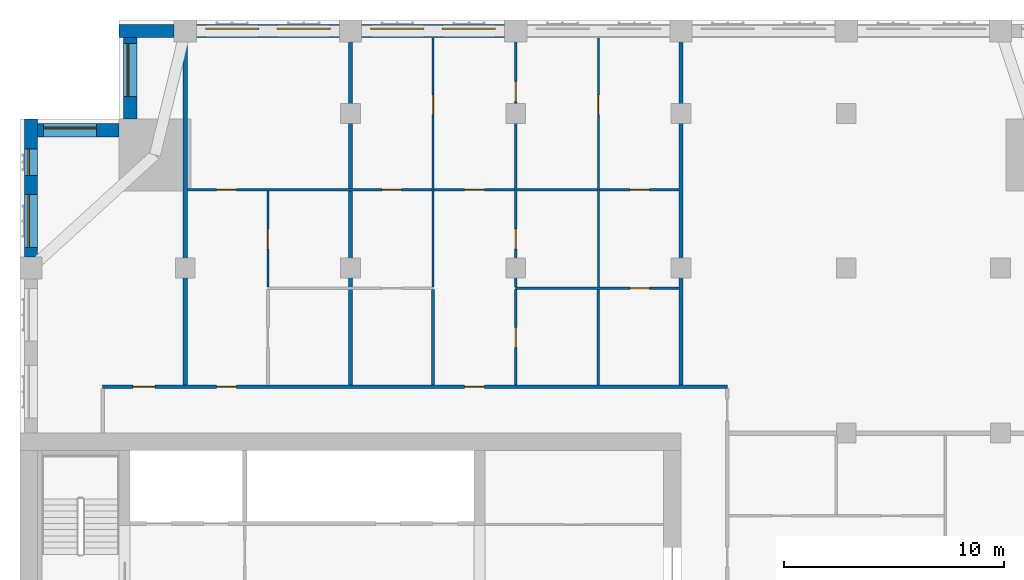
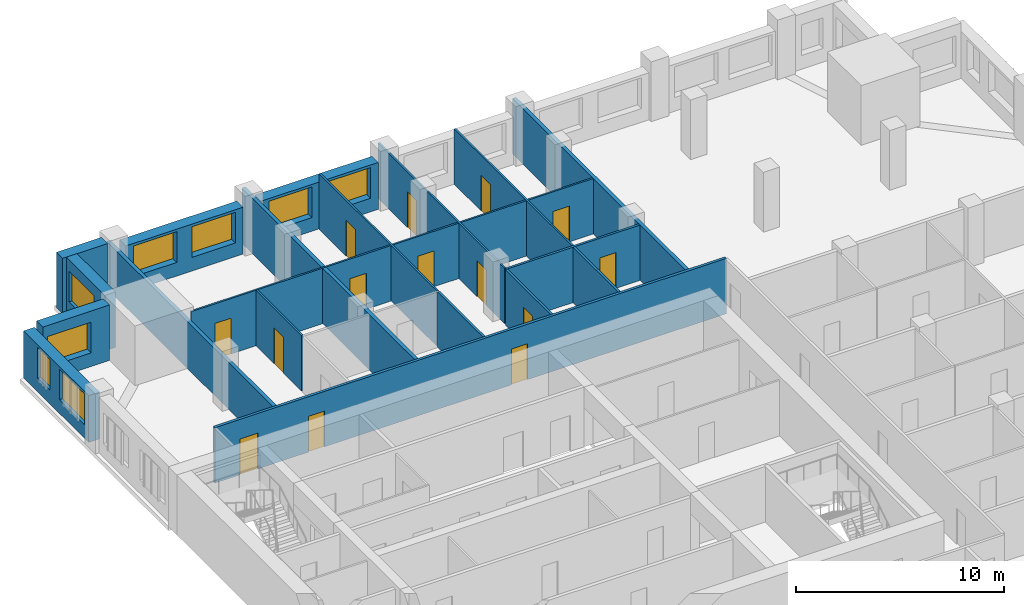
# One storey, part 10 of 14: 19 walls, 14 doors, 8 windows, 22 openings.
"""IFC4 building model written with IfcOpenShell, lengths in metres."""

import ifcopenshell
import ifcopenshell.guid

model = None  # the IFC model being written
_history = None  # IfcOwnerHistory: only IFC2X3 demands one
_inside = {}  # id of a spatial element -> (the spatial element, [elements in it])
_under = {}  # id of a project, library or spatial element -> (it, [spatial elements below it])
_declared = {}  # id of a project -> (the project, [libraries it declares])
_typed = {}  # id of a type object -> (the type object, [elements of that type])
_made_of = {}  # id of a material, layer set ... -> (it, [elements and type objects made of it])


def new_model(schema):
    """Start an empty IFC model of exactly this schema.

    Asked for "IFC4X3", IfcOpenShell would pick the latest addendum, in which some entities
    have other attributes; the version numbers below select the first issue.
    IFC2X3 requires an IfcOwnerHistory on every rooted entity: one is made here for all.
    """
    global model, _history
    if schema == "IFC4X3":
        model = ifcopenshell.file(schema_version=(4, 3, 0, 0))
    else:
        model = ifcopenshell.file(schema=schema)
    _inside.clear()
    _under.clear()
    _declared.clear()
    _typed.clear()
    _made_of.clear()
    _history = None
    if model.schema == "IFC2X3":
        org = make("IfcOrganization", Name="unknown")
        user = make(
            "IfcPersonAndOrganization",
            ThePerson=make("IfcPerson", FamilyName="unknown"),
            TheOrganization=org,
        )
        app = make(
            "IfcApplication",
            ApplicationDeveloper=org,
            Version="unknown",
            ApplicationFullName="unknown",
            ApplicationIdentifier="unknown",
        )
        _history = make(
            "IfcOwnerHistory",
            OwningUser=user,
            OwningApplication=app,
            ChangeAction="ADDED",
            CreationDate=0,
        )
    return model


def make(cls, **values):
    """One entity of the class cls with the attributes given. An attribute that is None is left unset."""
    return model.create_entity(
        cls, **{name: value for name, value in values.items() if value is not None}
    )


def rooted(cls, **values):
    """An entity with a GlobalId (a new one), such as an element, a storey or a relation."""
    return make(cls, GlobalId=ifcopenshell.guid.new(), OwnerHistory=_history, **values)


def si_unit(unit_type, name, prefix=None):
    """IfcSIUnit, for example si_unit("LENGTHUNIT", "METRE", prefix="MILLI")."""
    return make("IfcSIUnit", UnitType=unit_type, Prefix=prefix, Name=name)


def assignment(units):
    """IfcUnitAssignment: the units of a project."""
    return None if units is None else make("IfcUnitAssignment", Units=units)


def point(xyz):
    """IfcCartesianPoint."""
    return None if xyz is None else make("IfcCartesianPoint", Coordinates=xyz)


def direction(xyz):
    """IfcDirection."""
    return None if xyz is None else make("IfcDirection", DirectionRatios=xyz)


def frame(location, z_axis=None, x_axis=None):
    """IfcAxis2Placement3D, a coordinate frame: its origin and axes. An axis left out is left unset."""
    return make(
        "IfcAxis2Placement3D",
        Location=point(location),
        Axis=direction(z_axis),
        RefDirection=direction(x_axis),
    )


def frame_2d(location, x_axis=None):
    """IfcAxis2Placement2D, a coordinate frame in the plane: its origin and x axis."""
    return make(
        "IfcAxis2Placement2D", Location=point(location), RefDirection=direction(x_axis)
    )


def origin():
    """The frame at (0, 0, 0) with its axes left unset."""
    return frame((0.0, 0.0, 0.0))


def place(relative_to, where):
    """IfcLocalPlacement: puts the frame where relative to a parent placement (None: the world)."""
    return make(
        "IfcLocalPlacement", PlacementRelTo=relative_to, RelativePlacement=where
    )


def context(
    kind, dimensions, precision=None, world=None, true_north=None, identifier=None
):
    """IfcGeometricRepresentationContext, for example the 3D "Model" context."""
    return make(
        "IfcGeometricRepresentationContext",
        ContextIdentifier=identifier,
        ContextType=kind,
        CoordinateSpaceDimension=dimensions,
        Precision=precision,
        WorldCoordinateSystem=world,
        TrueNorth=true_north,
    )


def subcontext(parent, identifier, kind, view, scale=None):
    """IfcGeometricRepresentationSubContext, for example "Body" below "Model"."""
    return make(
        "IfcGeometricRepresentationSubContext",
        ContextIdentifier=identifier,
        ContextType=kind,
        ParentContext=parent,
        TargetScale=scale,
        TargetView=view,
    )


def project(units=None, contexts=None):
    """IfcProject with its units and contexts."""
    return rooted(
        "IfcProject",
        Name="project",
        RepresentationContexts=contexts,
        UnitsInContext=assignment(units),
    )


def spatial(cls, under=None, at=None, **own):
    """A site, building, storey or space (cls), placed at a placement, below another one or the project."""
    s = rooted(cls, ObjectPlacement=at, **own)
    if under is not None:
        _under.setdefault(under.id(), (under, []))[1].append(s)
    return s


def profile(cls, at=None, kind="AREA", **sizes):
    """A parametric profile (cls). Its sizes go by their IFC names, for example OverallWidth=200.0."""
    return make(cls, ProfileType=kind, Position=at, **sizes)


def rectangle(**sizes):
    """IfcRectangleProfileDef."""
    return profile("IfcRectangleProfileDef", **sizes)


def extrude(swept, where, along, depth):
    """IfcExtrudedAreaSolid: the profile swept, set in the frame where, extruded along a direction by depth."""
    return make(
        "IfcExtrudedAreaSolid",
        SweptArea=swept,
        Position=where,
        ExtrudedDirection=direction(along),
        Depth=depth,
    )


def shape(context_of_items, identifier, shape_type, items):
    """IfcShapeRepresentation: the items that make up one representation, for example the "Body"."""
    return make(
        "IfcShapeRepresentation",
        ContextOfItems=context_of_items,
        RepresentationIdentifier=identifier,
        RepresentationType=shape_type,
        Items=items,
    )


def material(Name=None, Category=None):
    """IfcMaterial."""
    return make("IfcMaterial", Name=Name, Category=Category)


def layer(
    of_material, thickness, ventilated=None, Name=None, Category=None, Priority=None
):
    """IfcMaterialLayer: one layer of a wall or slab, of a material (None: an air gap)."""
    return make(
        "IfcMaterialLayer",
        Material=of_material,
        LayerThickness=thickness,
        IsVentilated=ventilated,
        Name=Name,
        Category=Category,
        Priority=Priority,
    )


def layer_set(layers, Name=None):
    """IfcMaterialLayerSet."""
    return make("IfcMaterialLayerSet", MaterialLayers=layers, LayerSetName=Name)


def made_of(thing, what):
    """Note that an element or type object is made of a material, layer set ...; save() writes the relation."""
    if what is not None:
        _made_of.setdefault(what.id(), (what, []))[1].append(thing)
    return thing


def type_object(cls, material=None, **own):
    """A type object (cls), such as IfcWallType, which elements share."""
    return made_of(rooted(cls, **own), material)


def element(
    cls,
    number,
    at=None,
    inside=None,
    cuts=None,
    type_object=None,
    material=None,
    context=None,
    identifier="Body",
    shape_type=None,
    held_by="IfcProductDefinitionShape",
    body=None,
    shapes=None,
    **own,
):
    """One element of the class cls, such as IfcWall. Its Tag is "e" and its number.

    at: its placement. inside: the storey or other place that contains it. cuts: it is an
    opening in that element (IfcRelVoidsElement). A single representation is given by context,
    identifier, shape_type and body (its items); several are given by shapes. held_by: the class
    of the entity that holds the representations. save() writes the other relations.
    """
    e = rooted(cls, Tag="e%d" % number, ObjectPlacement=at, **own)
    if body is not None:
        shapes = [shape(context, identifier, shape_type, body)]
    if shapes is not None:
        e.Representation = make(held_by, Representations=shapes)
    if inside is not None:
        _inside.setdefault(inside.id(), (inside, []))[1].append(e)
    if cuts is not None:
        rooted(
            "IfcRelVoidsElement", RelatingBuildingElement=cuts, RelatedOpeningElement=e
        )
    if type_object is not None:
        _typed.setdefault(type_object.id(), (type_object, []))[1].append(e)
    return made_of(e, material)


def fill(opening, filler):
    """IfcRelFillsElement: the door or window that sits in an opening."""
    return rooted(
        "IfcRelFillsElement",
        RelatingOpeningElement=opening,
        RelatedBuildingElement=filler,
    )


def aggregate(whole, parts):
    """IfcRelAggregates: a whole, such as a stair, and the parts it consists of."""
    return rooted("IfcRelAggregates", RelatingObject=whole, RelatedObjects=parts)


def save(model, path):
    """Write the relations noted so far, then the file.

    IfcRelAggregates (storeys below a building ...), IfcRelContainedInSpatialStructure (elements
    in a storey), IfcRelDefinesByType, IfcRelAssociatesMaterial and IfcRelDeclares: one each for
    every whole, place, type object, material and project.
    """
    for whole, parts in _under.values():
        aggregate(whole, parts)
    for where, things in _inside.values():
        rooted(
            "IfcRelContainedInSpatialStructure",
            RelatedElements=things,
            RelatingStructure=where,
        )
    for kind, things in _typed.values():
        rooted("IfcRelDefinesByType", RelatedObjects=things, RelatingType=kind)
    for what, things in _made_of.values():
        rooted("IfcRelAssociatesMaterial", RelatedObjects=things, RelatingMaterial=what)
    for by, libraries in _declared.values():
        rooted("IfcRelDeclares", RelatingContext=by, RelatedDefinitions=libraries)
    model.write(path)


model = new_model("IFC4")

# Units and contexts
model_context = context("Model", 3, precision=1e-05, world=origin(), true_north=direction((0.0, 1.0)))
body_context = subcontext(model_context, "Body", "Model", "MODEL_VIEW")
ifc_project = project(units=[si_unit("LENGTHUNIT", "METRE"), si_unit("AREAUNIT", "SQUARE_METRE"), si_unit("VOLUMEUNIT", "CUBIC_METRE"), si_unit("PLANEANGLEUNIT", "RADIAN"), si_unit("MASSUNIT", "GRAM", prefix="KILO")], contexts=[model_context])

# Site, building, storey
site_placement = place(None, origin())
site = spatial("IfcSite", under=ifc_project, at=site_placement, CompositionType="ELEMENT")
building_placement = place(site_placement, origin())
building = spatial("IfcBuilding", under=site, at=building_placement, Name="Tamorin Gate", CompositionType="ELEMENT")
storey_placement = place(building_placement, frame((0.0, 0.0, 203.699951171875)))
storey = spatial("IfcBuildingStorey", under=building, at=storey_placement, Name="L50", CompositionType="ELEMENT", Elevation=203.699951171875)

# Wall, openings, windows
ifc_material_1 = material(Name="Precast concrete C40/50", Category="concrete")
ifc_layer_1 = layer(ifc_material_1, 0.60009765625)
ifc_layer_set_1 = layer_set([ifc_layer_1], Name="Precast concrete C40/50")
wall_type_1 = type_object("IfcWallType", Name="Board-marked concrete facade panel 600", PredefinedType="SOLIDWALL", material=ifc_layer_set_1)
wall_1_placement = place(storey_placement, frame((52.0, 100.75, 0.0), z_axis=(0.0, 0.0, 1.0), x_axis=(-1.0, 0.0, 0.0)))
wall_1 = element("IfcWall", 1, at=wall_1_placement, inside=storey, type_object=wall_type_1, Name="Facade panel", PredefinedType="SOLIDWALL", context=body_context, shape_type="SweptSolid", body=[
    extrude(rectangle(XDim=6.5, YDim=0.60009765625, at=frame_2d((3.25, 0.0))), origin(), (0.0, 0.0, 1.0), 2.75),
])
opening_1_placement = place(wall_1_placement, frame((3.675048828125, 0.0, 0.800048828125)))
opening_1 = element("IfcOpeningElement", 2, at=opening_1_placement, cuts=wall_1, Name="Opening WN1", PredefinedType="OPENING", context=body_context, shape_type="SweptSolid", body=[
    extrude(rectangle(XDim=2.39990234375, YDim=1.800048828125, at=frame_2d((1.199951171875, 0.89990234375))), frame((0.0, 0.31005859375, 0.0), z_axis=(0.0, -1.0, 0.0), x_axis=(1.0, 0.0, 0.0)), (0.0, 0.0, 1.0), 0.6201171875),
])
opening_2_placement = place(wall_1_placement, frame((0.425048828125, 0.0, 0.800048828125)))
opening_2 = element("IfcOpeningElement", 3, at=opening_2_placement, cuts=wall_1, Name="Opening WN1", PredefinedType="OPENING", context=body_context, shape_type="SweptSolid", body=[
    extrude(rectangle(XDim=2.39990234375, YDim=1.800048828125, at=frame_2d((1.199951171875, 0.89990234375))), frame((0.0, 0.31005859375, 0.0), z_axis=(0.0, -1.0, 0.0), x_axis=(1.0, 0.0, 0.0)), (0.0, 0.0, 1.0), 0.6201171875),
])
ifc_material_2 = material(Name="Clear glass in aluminium frame", Category="aluminium")
window_type_1 = type_object("IfcWindowType", Name="Deep-set window 2400x1800", PartitioningType="SINGLE_PANEL", PredefinedType="WINDOW", material=ifc_material_2)
window_1_placement = place(opening_1_placement, origin())
window_1 = element("IfcWindow", 4, at=window_1_placement, inside=storey, type_object=window_type_1, Name="Deep-set window", OverallHeight=1.800048828125, OverallWidth=2.39990234375, PartitioningType="SINGLE_PANEL", PredefinedType="WINDOW", context=body_context, shape_type="SweptSolid", body=[
    extrude(rectangle(XDim=2.39990234375, YDim=1.800048828125, at=frame_2d((1.199951171875, 0.89990234375))), frame((0.0, -0.070068359375, 0.0), z_axis=(0.0, -1.0, 0.0), x_axis=(1.0, 0.0, 0.0)), (0.0, 0.0, 1.0), 0.06005859375),
])
fill(opening_1, window_1)
window_2_placement = place(opening_2_placement, origin())
window_2 = element("IfcWindow", 5, at=window_2_placement, inside=storey, type_object=window_type_1, Name="Deep-set window", OverallHeight=1.800048828125, OverallWidth=2.39990234375, PartitioningType="SINGLE_PANEL", PredefinedType="WINDOW", context=body_context, shape_type="SweptSolid", body=[
    extrude(rectangle(XDim=2.39990234375, YDim=1.800048828125, at=frame_2d((1.199951171875, 0.89990234375))), frame((0.0, -0.070068359375, 0.0), z_axis=(0.0, -1.0, 0.0), x_axis=(1.0, 0.0, 0.0)), (0.0, 0.0, 1.0), 0.06005859375),
])
fill(opening_2, window_2)

wall_2_placement = place(storey_placement, frame((44.5, 100.75, 0.0), z_axis=(0.0, 0.0, 1.0), x_axis=(-1.0, 0.0, 0.0)))
wall_2 = element("IfcWall", 6, at=wall_2_placement, inside=storey, type_object=wall_type_1, Name="Facade panel", PredefinedType="SOLIDWALL", context=body_context, shape_type="SweptSolid", body=[
    extrude(rectangle(XDim=6.5, YDim=0.60009765625, at=frame_2d((3.25, 0.0))), origin(), (0.0, 0.0, 1.0), 2.75),
])
opening_3_placement = place(wall_2_placement, frame((3.675048828125, 0.0, 0.800048828125)))
opening_3 = element("IfcOpeningElement", 7, at=opening_3_placement, cuts=wall_2, Name="Opening WN1", PredefinedType="OPENING", context=body_context, shape_type="SweptSolid", body=[
    extrude(rectangle(XDim=2.39990234375, YDim=1.800048828125, at=frame_2d((1.199951171875, 0.89990234375))), frame((0.0, 0.31005859375, 0.0), z_axis=(0.0, -1.0, 0.0), x_axis=(1.0, 0.0, 0.0)), (0.0, 0.0, 1.0), 0.6201171875),
])
opening_4_placement = place(wall_2_placement, frame((0.425048828125, 0.0, 0.800048828125)))
opening_4 = element("IfcOpeningElement", 8, at=opening_4_placement, cuts=wall_2, Name="Opening WN1", PredefinedType="OPENING", context=body_context, shape_type="SweptSolid", body=[
    extrude(rectangle(XDim=2.39990234375, YDim=1.800048828125, at=frame_2d((1.199951171875, 0.89990234375))), frame((0.0, 0.31005859375, 0.0), z_axis=(0.0, -1.0, 0.0), x_axis=(1.0, 0.0, 0.0)), (0.0, 0.0, 1.0), 0.6201171875),
])
window_3_placement = place(opening_3_placement, origin())
window_3 = element("IfcWindow", 9, at=window_3_placement, inside=storey, type_object=window_type_1, Name="Deep-set window", OverallHeight=1.800048828125, OverallWidth=2.39990234375, PartitioningType="SINGLE_PANEL", PredefinedType="WINDOW", context=body_context, shape_type="SweptSolid", body=[
    extrude(rectangle(XDim=2.39990234375, YDim=1.800048828125, at=frame_2d((1.199951171875, 0.89990234375))), frame((0.0, -0.070068359375, 0.0), z_axis=(0.0, -1.0, 0.0), x_axis=(1.0, 0.0, 0.0)), (0.0, 0.0, 1.0), 0.06005859375),
])
fill(opening_3, window_3)
window_4_placement = place(opening_4_placement, origin())
window_4 = element("IfcWindow", 10, at=window_4_placement, inside=storey, type_object=window_type_1, Name="Deep-set window", OverallHeight=1.800048828125, OverallWidth=2.39990234375, PartitioningType="SINGLE_PANEL", PredefinedType="WINDOW", context=body_context, shape_type="SweptSolid", body=[
    extrude(rectangle(XDim=2.39990234375, YDim=1.800048828125, at=frame_2d((1.199951171875, 0.89990234375))), frame((0.0, -0.070068359375, 0.0), z_axis=(0.0, -1.0, 0.0), x_axis=(1.0, 0.0, 0.0)), (0.0, 0.0, 1.0), 0.06005859375),
])
fill(opening_4, window_4)

# Wall
wall_3_placement = place(storey_placement, frame((37.0, 100.75, 0.0), z_axis=(0.0, 0.0, 1.0), x_axis=(-1.0, 0.0, 0.0)))
element("IfcWall", 11, at=wall_3_placement, inside=storey, type_object=wall_type_1, Name="Facade panel", PredefinedType="SOLIDWALL", context=body_context, shape_type="SweptSolid", body=[
    extrude(rectangle(XDim=2.5, YDim=0.60009765625, at=frame_2d((1.25, 0.0))), origin(), (0.0, 0.0, 1.0), 3.25),
])

# Wall, opening, window
wall_4_placement = place(storey_placement, frame((35.0, 100.449951171875, 0.0), z_axis=(0.0, 0.0, 1.0), x_axis=(0.0, -1.0, 0.0)))
wall_4 = element("IfcWall", 12, at=wall_4_placement, inside=storey, type_object=wall_type_1, Name="Facade panel", PredefinedType="SOLIDWALL", context=body_context, shape_type="SweptSolid", body=[
    extrude(rectangle(XDim=3.699951171875, YDim=0.60009765625, at=frame_2d((1.85009765625, 0.0))), origin(), (0.0, 0.0, 1.0), 3.25),
])
opening_5_placement = place(wall_4_placement, frame((0.27490234375, 0.0, 0.800048828125)))
opening_5 = element("IfcOpeningElement", 13, at=opening_5_placement, cuts=wall_4, Name="Opening WN1", PredefinedType="OPENING", context=body_context, shape_type="SweptSolid", body=[
    extrude(rectangle(XDim=2.39990234375, YDim=1.800048828125, at=frame_2d((1.199951171875, 0.89990234375))), frame((0.0, 0.31005859375, 0.0), z_axis=(0.0, -1.0, 0.0), x_axis=(1.0, 0.0, 0.0)), (0.0, 0.0, 1.0), 0.6201171875),
])
window_5_placement = place(opening_5_placement, origin())
window_5 = element("IfcWindow", 14, at=window_5_placement, inside=storey, type_object=window_type_1, Name="Deep-set window", OverallHeight=1.800048828125, OverallWidth=2.39990234375, PartitioningType="SINGLE_PANEL", PredefinedType="WINDOW", context=body_context, shape_type="SweptSolid", body=[
    extrude(rectangle(XDim=2.39990234375, YDim=1.800048828125, at=frame_2d((1.199951171875, 0.89990234375))), frame((0.0, -0.070068359375, 0.0), z_axis=(0.0, -1.0, 0.0), x_axis=(1.0, 0.0, 0.0)), (0.0, 0.0, 1.0), 0.06005859375),
])
fill(opening_5, window_5)

wall_5_placement = place(storey_placement, frame((34.5, 96.25, 0.0), z_axis=(0.0, 0.0, 1.0), x_axis=(-1.0, 0.0, 0.0)))
wall_5 = element("IfcWall", 15, at=wall_5_placement, inside=storey, type_object=wall_type_1, Name="Facade panel", PredefinedType="SOLIDWALL", context=body_context, shape_type="SweptSolid", body=[
    extrude(rectangle(XDim=3.699951171875, YDim=0.60009765625, at=frame_2d((1.85009765625, 0.0))), origin(), (0.0, 0.0, 1.0), 3.25),
])
opening_6_placement = place(wall_5_placement, frame((1.02490234375, 0.0, 0.800048828125)))
opening_6 = element("IfcOpeningElement", 16, at=opening_6_placement, cuts=wall_5, Name="Opening WN1", PredefinedType="OPENING", context=body_context, shape_type="SweptSolid", body=[
    extrude(rectangle(XDim=2.39990234375, YDim=1.800048828125, at=frame_2d((1.199951171875, 0.89990234375))), frame((0.0, 0.31005859375, 0.0), z_axis=(0.0, -1.0, 0.0), x_axis=(1.0, 0.0, 0.0)), (0.0, 0.0, 1.0), 0.6201171875),
])
window_6_placement = place(opening_6_placement, origin())
window_6 = element("IfcWindow", 17, at=window_6_placement, inside=storey, type_object=window_type_1, Name="Deep-set window", OverallHeight=1.800048828125, OverallWidth=2.39990234375, PartitioningType="SINGLE_PANEL", PredefinedType="WINDOW", context=body_context, shape_type="SweptSolid", body=[
    extrude(rectangle(XDim=2.39990234375, YDim=1.800048828125, at=frame_2d((1.199951171875, 0.89990234375))), frame((0.0, -0.070068359375, 0.0), z_axis=(0.0, -1.0, 0.0), x_axis=(1.0, 0.0, 0.0)), (0.0, 0.0, 1.0), 0.06005859375),
])
fill(opening_6, window_6)

# Wall, openings, windows
wall_6_placement = place(storey_placement, frame((30.5, 96.75, 0.0), z_axis=(0.0, 0.0, 1.0), x_axis=(0.0, -1.0, 0.0)))
wall_6 = element("IfcWall", 18, at=wall_6_placement, inside=storey, type_object=wall_type_1, Name="Facade panel", PredefinedType="SOLIDWALL", context=body_context, shape_type="SweptSolid", body=[
    extrude(rectangle(XDim=6.25, YDim=0.60009765625, at=frame_2d((3.125, 0.0))), origin(), (0.0, 0.0, 1.0), 2.75),
])
opening_7_placement = place(wall_6_placement, frame((3.425048828125, 0.0, 0.800048828125)))
opening_7 = element("IfcOpeningElement", 19, at=opening_7_placement, cuts=wall_6, Name="Opening WN1", PredefinedType="OPENING", context=body_context, shape_type="SweptSolid", body=[
    extrude(rectangle(XDim=2.39990234375, YDim=1.800048828125, at=frame_2d((1.199951171875, 0.89990234375))), frame((0.0, 0.31005859375, 0.0), z_axis=(0.0, -1.0, 0.0), x_axis=(1.0, 0.0, 0.0)), (0.0, 0.0, 1.0), 0.6201171875),
])
opening_8_placement = place(wall_6_placement, frame((1.35009765625, 0.0, 0.800048828125)))
opening_8 = element("IfcOpeningElement", 20, at=opening_8_placement, cuts=wall_6, Name="Opening WN3", PredefinedType="OPENING", context=body_context, shape_type="SweptSolid", body=[
    extrude(rectangle(XDim=1.199951171875, YDim=1.800048828125, at=frame_2d((0.60009765625, 0.89990234375))), frame((0.0, 0.31005859375, 0.0), z_axis=(0.0, -1.0, 0.0), x_axis=(1.0, 0.0, 0.0)), (0.0, 0.0, 1.0), 0.6201171875),
])
window_type_2 = type_object("IfcWindowType", Name="Deep-set window 1200x1800", PartitioningType="SINGLE_PANEL", PredefinedType="WINDOW", material=ifc_material_2)
window_7_placement = place(opening_8_placement, origin())
window_7 = element("IfcWindow", 21, at=window_7_placement, inside=storey, type_object=window_type_2, Name="Deep-set window", OverallHeight=1.800048828125, OverallWidth=1.199951171875, PartitioningType="SINGLE_PANEL", PredefinedType="WINDOW", context=body_context, shape_type="SweptSolid", body=[
    extrude(rectangle(XDim=1.199951171875, YDim=1.800048828125, at=frame_2d((0.60009765625, 0.89990234375))), frame((0.0, -0.070068359375, 0.0), z_axis=(0.0, -1.0, 0.0), x_axis=(1.0, 0.0, 0.0)), (0.0, 0.0, 1.0), 0.06005859375),
])
fill(opening_8, window_7)
window_8_placement = place(opening_7_placement, origin())
window_8 = element("IfcWindow", 22, at=window_8_placement, inside=storey, type_object=window_type_1, Name="Deep-set window", OverallHeight=1.800048828125, OverallWidth=2.39990234375, PartitioningType="SINGLE_PANEL", PredefinedType="WINDOW", context=body_context, shape_type="SweptSolid", body=[
    extrude(rectangle(XDim=2.39990234375, YDim=1.800048828125, at=frame_2d((1.199951171875, 0.89990234375))), frame((0.0, -0.070068359375, 0.0), z_axis=(0.0, -1.0, 0.0), x_axis=(1.0, 0.0, 0.0)), (0.0, 0.0, 1.0), 0.06005859375),
])
fill(opening_7, window_8)

# Wall, openings, doors
ifc_material_3 = material(Name="Gypsum board partition")
ifc_layer_2 = layer(ifc_material_3, 0.14990234375)
ifc_layer_set_2 = layer_set([ifc_layer_2], Name="Corridor wall 150")
wall_type_2 = type_object("IfcWallType", Name="Corridor wall 150", PredefinedType="PARTITIONING", material=ifc_layer_set_2)
wall_7_placement = place(storey_placement, frame((33.75, 84.60009765625, 0.0), z_axis=(0.0, 0.0, 1.0), x_axis=(1.0, 0.0, 0.0)))
wall_7 = element("IfcWall", 23, at=wall_7_placement, inside=storey, type_object=wall_type_2, Name="Corridor wall 150", PredefinedType="PARTITIONING", context=body_context, shape_type="SweptSolid", body=[
    extrude(rectangle(XDim=28.35009765625, YDim=0.14990234375, at=frame_2d((14.175048828125, 0.0))), origin(), (0.0, 0.0, 1.0), 3.25),
])
opening_9_placement = place(wall_7_placement, frame((1.375, 0.0, 0.0)))
opening_9 = element("IfcOpeningElement", 24, at=opening_9_placement, cuts=wall_7, Name="Opening DR4014", PredefinedType="OPENING", context=body_context, shape_type="SweptSolid", body=[
    extrude(rectangle(XDim=1.0, YDim=2.10009765625, at=frame_2d((0.5, 1.050048828125))), frame((0.0, 0.0849609375, 0.0), z_axis=(0.0, -1.0, 0.0), x_axis=(1.0, 0.0, 0.0)), (0.0, 0.0, 1.0), 0.169921875),
])
opening_10_placement = place(wall_7_placement, frame((5.175048828125, 0.0, 0.0)))
opening_10 = element("IfcOpeningElement", 25, at=opening_10_placement, cuts=wall_7, Name="Opening DR4015", PredefinedType="OPENING", context=body_context, shape_type="SweptSolid", body=[
    extrude(rectangle(XDim=0.89990234375, YDim=2.10009765625, at=frame_2d((0.449951171875, 1.050048828125))), frame((0.0, 0.0849609375, 0.0), z_axis=(0.0, -1.0, 0.0), x_axis=(1.0, 0.0, 0.0)), (0.0, 0.0, 1.0), 0.169921875),
])
opening_11_placement = place(wall_7_placement, frame((16.425048828125, 0.0, 0.0)))
opening_11 = element("IfcOpeningElement", 26, at=opening_11_placement, cuts=wall_7, Name="Opening DR4021", PredefinedType="OPENING", context=body_context, shape_type="SweptSolid", body=[
    extrude(rectangle(XDim=0.89990234375, YDim=2.10009765625, at=frame_2d((0.449951171875, 1.050048828125))), frame((0.0, 0.0849609375, 0.0), z_axis=(0.0, -1.0, 0.0), x_axis=(1.0, 0.0, 0.0)), (0.0, 0.0, 1.0), 0.169921875),
])
ifc_material_4 = material(Name="Timber door leaf", Category="wood")
door_type_1 = type_object("IfcDoorType", Name="Door 1000 x 2100 FD30S", OperationType="NOTDEFINED", PredefinedType="DOOR", material=ifc_material_4)
door_1_placement = place(opening_9_placement, origin())
door_1 = element("IfcDoor", 27, at=door_1_placement, inside=storey, type_object=door_type_1, Name="Door DR4014", OperationType="SINGLE_SWING_LEFT", OverallHeight=2.10009765625, OverallWidth=1.0, PredefinedType="DOOR", context=body_context, shape_type="SweptSolid", body=[
    extrude(rectangle(XDim=1.0, YDim=2.10009765625, at=frame_2d((0.5, 1.050048828125))), frame((0.0, 0.02490234375, 0.0), z_axis=(0.0, -1.0, 0.0), x_axis=(1.0, 0.0, 0.0)), (0.0, 0.0, 1.0), 0.050048828125),
])
fill(opening_9, door_1)
door_type_2 = type_object("IfcDoorType", Name="Door 900 x 2100 FD30S", OperationType="NOTDEFINED", PredefinedType="DOOR", material=ifc_material_4)
door_2_placement = place(opening_10_placement, origin())
door_2 = element("IfcDoor", 28, at=door_2_placement, inside=storey, type_object=door_type_2, Name="Door DR4015", OperationType="SINGLE_SWING_LEFT", OverallHeight=2.10009765625, OverallWidth=0.89990234375, PredefinedType="DOOR", context=body_context, shape_type="SweptSolid", body=[
    extrude(rectangle(XDim=0.89990234375, YDim=2.10009765625, at=frame_2d((0.449951171875, 1.050048828125))), frame((0.0, 0.02490234375, 0.0), z_axis=(0.0, -1.0, 0.0), x_axis=(1.0, 0.0, 0.0)), (0.0, 0.0, 1.0), 0.050048828125),
])
fill(opening_10, door_2)
door_3_placement = place(opening_11_placement, origin())
door_3 = element("IfcDoor", 29, at=door_3_placement, inside=storey, type_object=door_type_2, Name="Door DR4021", OperationType="SINGLE_SWING_LEFT", OverallHeight=2.10009765625, OverallWidth=0.89990234375, PredefinedType="DOOR", context=body_context, shape_type="SweptSolid", body=[
    extrude(rectangle(XDim=0.89990234375, YDim=2.10009765625, at=frame_2d((0.449951171875, 1.050048828125))), frame((0.0, 0.02490234375, 0.0), z_axis=(0.0, -1.0, 0.0), x_axis=(1.0, 0.0, 0.0)), (0.0, 0.0, 1.0), 0.050048828125),
])
fill(opening_11, door_3)

# Walls
ifc_layer_3 = layer(ifc_material_3, 0.199951171875)
ifc_layer_set_3 = layer_set([ifc_layer_3], Name="Demising wall 200")
wall_type_3 = type_object("IfcWallType", Name="Demising wall 200", PredefinedType="PARTITIONING", material=ifc_layer_set_3)
wall_8_placement = place(storey_placement, frame((37.5, 84.675048828125, 0.0), z_axis=(0.0, 0.0, 1.0), x_axis=(0.0, 1.0, 0.0)))
element("IfcWall", 30, at=wall_8_placement, inside=storey, type_object=wall_type_3, Name="Demising wall 200", PredefinedType="PARTITIONING", context=body_context, shape_type="SweptSolid", body=[
    extrude(rectangle(XDim=16.574951171875, YDim=0.199951171875, at=frame_2d((8.28759765625, 0.0))), origin(), (0.0, 0.0, 1.0), 2.75),
])
for number, where, z_axis, x_axis, name in (
    (31, (45.0, 84.675048828125, 0.0), (0.0, 0.0, 1.0), (0.0, 1.0, 0.0), "Demising wall 200"),
    (32, (60.0, 84.675048828125, 0.0), (0.0, 0.0, 1.0), (0.0, 1.0, 0.0), "Demising wall 200"),
):
    element("IfcWall", number, at=place(storey_placement, frame(where, z_axis=z_axis, x_axis=x_axis)), inside=storey, type_object=wall_type_3, Name=name, PredefinedType="PARTITIONING", context=body_context, shape_type="SweptSolid", body=[
        extrude(rectangle(XDim=16.574951171875, YDim=0.199951171875, at=frame_2d((8.28759765625, 0.0))), origin(), (0.0, 0.0, 1.0), 3.25),
    ])

# Wall, openings, doors
ifc_layer_4 = layer(ifc_material_3, 0.10009765625)
ifc_layer_set_4 = layer_set([ifc_layer_4], Name="Room partition 100")
wall_type_4 = type_object("IfcWallType", Name="Room partition 100", PredefinedType="PARTITIONING", material=ifc_layer_set_4)
wall_9_placement = place(storey_placement, frame((37.60009765625, 93.550048828125, 0.0), z_axis=(0.0, 0.0, 1.0), x_axis=(1.0, 0.0, 0.0)))
wall_9 = element("IfcWall", 33, at=wall_9_placement, inside=storey, type_object=wall_type_4, Name="Room partition 100", PredefinedType="PARTITIONING", context=body_context, shape_type="SweptSolid", body=[
    extrude(rectangle(XDim=22.2998046875, YDim=0.10009765625, at=frame_2d((11.14990234375, 0.0))), origin(), (0.0, 0.0, 1.0), 3.25),
])
opening_12_placement = place(wall_9_placement, frame((1.324951171875, 0.0, 0.0)))
opening_12 = element("IfcOpeningElement", 34, at=opening_12_placement, cuts=wall_9, Name="Opening DR4016", PredefinedType="OPENING", context=body_context, shape_type="SweptSolid", body=[
    extrude(rectangle(XDim=0.89990234375, YDim=2.10009765625, at=frame_2d((0.449951171875, 1.050048828125))), frame((0.0, 0.06005859375, 0.0), z_axis=(0.0, -1.0, 0.0), x_axis=(1.0, 0.0, 0.0)), (0.0, 0.0, 1.0), 0.1201171875),
])
opening_13_placement = place(wall_9_placement, frame((8.824951171875, 0.0, 0.0)))
opening_13 = element("IfcOpeningElement", 35, at=opening_13_placement, cuts=wall_9, Name="Opening DR4019", PredefinedType="OPENING", context=body_context, shape_type="SweptSolid", body=[
    extrude(rectangle(XDim=0.89990234375, YDim=2.10009765625, at=frame_2d((0.449951171875, 1.050048828125))), frame((0.0, 0.06005859375, 0.0), z_axis=(0.0, -1.0, 0.0), x_axis=(1.0, 0.0, 0.0)), (0.0, 0.0, 1.0), 0.1201171875),
])
opening_14_placement = place(wall_9_placement, frame((12.574951171875, 0.0, 0.0)))
opening_14 = element("IfcOpeningElement", 36, at=opening_14_placement, cuts=wall_9, Name="Opening DR4022", PredefinedType="OPENING", context=body_context, shape_type="SweptSolid", body=[
    extrude(rectangle(XDim=0.89990234375, YDim=2.10009765625, at=frame_2d((0.449951171875, 1.050048828125))), frame((0.0, 0.06005859375, 0.0), z_axis=(0.0, -1.0, 0.0), x_axis=(1.0, 0.0, 0.0)), (0.0, 0.0, 1.0), 0.1201171875),
])
opening_15_placement = place(wall_9_placement, frame((20.074951171875, 0.0, 0.0)))
opening_15 = element("IfcOpeningElement", 37, at=opening_15_placement, cuts=wall_9, Name="Opening DR4025", PredefinedType="OPENING", context=body_context, shape_type="SweptSolid", body=[
    extrude(rectangle(XDim=0.89990234375, YDim=2.10009765625, at=frame_2d((0.449951171875, 1.050048828125))), frame((0.0, 0.06005859375, 0.0), z_axis=(0.0, -1.0, 0.0), x_axis=(1.0, 0.0, 0.0)), (0.0, 0.0, 1.0), 0.1201171875),
])
door_type_3 = type_object("IfcDoorType", Name="Door 900 x 2100", OperationType="NOTDEFINED", PredefinedType="DOOR", material=ifc_material_4)
door_4_placement = place(opening_12_placement, origin())
door_4 = element("IfcDoor", 38, at=door_4_placement, inside=storey, type_object=door_type_3, Name="Door DR4016", OperationType="SINGLE_SWING_RIGHT", OverallHeight=2.10009765625, OverallWidth=0.89990234375, PredefinedType="DOOR", context=body_context, shape_type="SweptSolid", body=[
    extrude(rectangle(XDim=0.89990234375, YDim=2.10009765625, at=frame_2d((0.449951171875, 1.050048828125))), frame((0.0, 0.02490234375, 0.0), z_axis=(0.0, -1.0, 0.0), x_axis=(1.0, 0.0, 0.0)), (0.0, 0.0, 1.0), 0.050048828125),
])
fill(opening_12, door_4)
door_5_placement = place(opening_13_placement, origin())
door_5 = element("IfcDoor", 39, at=door_5_placement, inside=storey, type_object=door_type_3, Name="Door DR4019", OperationType="SINGLE_SWING_RIGHT", OverallHeight=2.10009765625, OverallWidth=0.89990234375, PredefinedType="DOOR", context=body_context, shape_type="SweptSolid", body=[
    extrude(rectangle(XDim=0.89990234375, YDim=2.10009765625, at=frame_2d((0.449951171875, 1.050048828125))), frame((0.0, 0.02490234375, 0.0), z_axis=(0.0, -1.0, 0.0), x_axis=(1.0, 0.0, 0.0)), (0.0, 0.0, 1.0), 0.050048828125),
])
fill(opening_13, door_5)
door_6_placement = place(opening_14_placement, origin())
door_6 = element("IfcDoor", 40, at=door_6_placement, inside=storey, type_object=door_type_3, Name="Door DR4022", OperationType="SINGLE_SWING_RIGHT", OverallHeight=2.10009765625, OverallWidth=0.89990234375, PredefinedType="DOOR", context=body_context, shape_type="SweptSolid", body=[
    extrude(rectangle(XDim=0.89990234375, YDim=2.10009765625, at=frame_2d((0.449951171875, 1.050048828125))), frame((0.0, 0.02490234375, 0.0), z_axis=(0.0, -1.0, 0.0), x_axis=(1.0, 0.0, 0.0)), (0.0, 0.0, 1.0), 0.050048828125),
])
fill(opening_14, door_6)
door_7_placement = place(opening_15_placement, origin())
door_7 = element("IfcDoor", 41, at=door_7_placement, inside=storey, type_object=door_type_3, Name="Door DR4025", OperationType="SINGLE_SWING_RIGHT", OverallHeight=2.10009765625, OverallWidth=0.89990234375, PredefinedType="DOOR", context=body_context, shape_type="SweptSolid", body=[
    extrude(rectangle(XDim=0.89990234375, YDim=2.10009765625, at=frame_2d((0.449951171875, 1.050048828125))), frame((0.0, 0.02490234375, 0.0), z_axis=(0.0, -1.0, 0.0), x_axis=(1.0, 0.0, 0.0)), (0.0, 0.0, 1.0), 0.050048828125),
])
fill(opening_15, door_7)

# Wall, opening, door
wall_10_placement = place(storey_placement, frame((41.25, 89.137451171875, 0.0), z_axis=(0.0, 0.0, 1.0), x_axis=(0.0, 1.0, 0.0)))
wall_10 = element("IfcWall", 42, at=wall_10_placement, inside=storey, type_object=wall_type_4, Name="Room partition 100", PredefinedType="PARTITIONING", context=body_context, shape_type="SweptSolid", body=[
    extrude(rectangle(XDim=4.362548828125, YDim=0.10009765625, at=frame_2d((2.18115234375, 0.0))), origin(), (0.0, 0.0, 1.0), 3.25),
])
opening_16_placement = place(wall_10_placement, frame((1.72509765625, 0.0, 0.0)))
opening_16 = element("IfcOpeningElement", 43, at=opening_16_placement, cuts=wall_10, Name="Opening DR4017", PredefinedType="OPENING", context=body_context, shape_type="SweptSolid", body=[
    extrude(rectangle(XDim=0.89990234375, YDim=2.10009765625, at=frame_2d((0.449951171875, 1.050048828125))), frame((0.0, 0.06005859375, 0.0), z_axis=(0.0, -1.0, 0.0), x_axis=(1.0, 0.0, 0.0)), (0.0, 0.0, 1.0), 0.1201171875),
])
door_8_placement = place(opening_16_placement, origin())
door_8 = element("IfcDoor", 44, at=door_8_placement, inside=storey, type_object=door_type_3, Name="Door DR4017", OperationType="SINGLE_SWING_RIGHT", OverallHeight=2.10009765625, OverallWidth=0.89990234375, PredefinedType="DOOR", context=body_context, shape_type="SweptSolid", body=[
    extrude(rectangle(XDim=0.89990234375, YDim=2.10009765625, at=frame_2d((0.449951171875, 1.050048828125))), frame((0.0, 0.02490234375, 0.0), z_axis=(0.0, -1.0, 0.0), x_axis=(1.0, 0.0, 0.0)), (0.0, 0.0, 1.0), 0.050048828125),
])
fill(opening_16, door_8)

wall_11_placement = place(storey_placement, frame((48.75, 89.137451171875, 0.0), z_axis=(0.0, 0.0, 1.0), x_axis=(0.0, 1.0, 0.0)))
wall_11 = element("IfcWall", 45, at=wall_11_placement, inside=storey, type_object=wall_type_4, Name="Room partition 100", PredefinedType="PARTITIONING", context=body_context, shape_type="SweptSolid", body=[
    extrude(rectangle(XDim=11.302490234375, YDim=0.10009765625, at=frame_2d((5.6513671875, 0.0))), origin(), (0.0, 0.0, 1.0), 3.25),
])
opening_17_placement = place(wall_11_placement, frame((7.8125, 0.0, 0.0)))
opening_17 = element("IfcOpeningElement", 46, at=opening_17_placement, cuts=wall_11, Name="Opening DR4027", PredefinedType="OPENING", context=body_context, shape_type="SweptSolid", body=[
    extrude(rectangle(XDim=0.89990234375, YDim=2.10009765625, at=frame_2d((0.449951171875, 1.050048828125))), frame((0.0, 0.06005859375, 0.0), z_axis=(0.0, -1.0, 0.0), x_axis=(1.0, 0.0, 0.0)), (0.0, 0.0, 1.0), 0.1201171875),
])
door_9_placement = place(opening_17_placement, origin())
door_9 = element("IfcDoor", 47, at=door_9_placement, inside=storey, type_object=door_type_3, Name="Door DR4027", OperationType="SINGLE_SWING_LEFT", OverallHeight=2.10009765625, OverallWidth=0.89990234375, PredefinedType="DOOR", context=body_context, shape_type="SweptSolid", body=[
    extrude(rectangle(XDim=0.89990234375, YDim=2.10009765625, at=frame_2d((0.449951171875, 1.050048828125))), frame((0.0, 0.02490234375, 0.0), z_axis=(0.0, -1.0, 0.0), x_axis=(1.0, 0.0, 0.0)), (0.0, 0.0, 1.0), 0.050048828125),
])
fill(opening_17, door_9)

# Wall, openings, doors
wall_12_placement = place(storey_placement, frame((52.5, 89.137451171875, 0.0), z_axis=(0.0, 0.0, 1.0), x_axis=(0.0, 1.0, 0.0)))
wall_12 = element("IfcWall", 48, at=wall_12_placement, inside=storey, type_object=wall_type_4, Name="Room partition 100", PredefinedType="PARTITIONING", context=body_context, shape_type="SweptSolid", body=[
    extrude(rectangle(XDim=12.112548828125, YDim=0.10009765625, at=frame_2d((6.05615234375, 0.0))), origin(), (0.0, 0.0, 1.0), 3.25),
])
opening_18_placement = place(wall_12_placement, frame((1.72509765625, 0.0, 0.0)))
opening_18 = element("IfcOpeningElement", 49, at=opening_18_placement, cuts=wall_12, Name="Opening DR4023", PredefinedType="OPENING", context=body_context, shape_type="SweptSolid", body=[
    extrude(rectangle(XDim=0.89990234375, YDim=2.10009765625, at=frame_2d((0.449951171875, 1.050048828125))), frame((0.0, 0.06005859375, 0.0), z_axis=(0.0, -1.0, 0.0), x_axis=(1.0, 0.0, 0.0)), (0.0, 0.0, 1.0), 0.1201171875),
])
opening_19_placement = place(wall_12_placement, frame((8.41259765625, 0.0, 0.0)))
opening_19 = element("IfcOpeningElement", 50, at=opening_19_placement, cuts=wall_12, Name="Opening DR4028", PredefinedType="OPENING", context=body_context, shape_type="SweptSolid", body=[
    extrude(rectangle(XDim=0.89990234375, YDim=2.10009765625, at=frame_2d((0.449951171875, 1.050048828125))), frame((0.0, 0.06005859375, 0.0), z_axis=(0.0, -1.0, 0.0), x_axis=(1.0, 0.0, 0.0)), (0.0, 0.0, 1.0), 0.1201171875),
])
door_10_placement = place(opening_18_placement, origin())
door_10 = element("IfcDoor", 51, at=door_10_placement, inside=storey, type_object=door_type_3, Name="Door DR4023", OperationType="SINGLE_SWING_RIGHT", OverallHeight=2.10009765625, OverallWidth=0.89990234375, PredefinedType="DOOR", context=body_context, shape_type="SweptSolid", body=[
    extrude(rectangle(XDim=0.89990234375, YDim=2.10009765625, at=frame_2d((0.449951171875, 1.050048828125))), frame((0.0, 0.02490234375, 0.0), z_axis=(0.0, -1.0, 0.0), x_axis=(1.0, 0.0, 0.0)), (0.0, 0.0, 1.0), 0.050048828125),
])
fill(opening_18, door_10)
door_11_placement = place(opening_19_placement, origin())
door_11 = element("IfcDoor", 52, at=door_11_placement, inside=storey, type_object=door_type_3, Name="Door DR4028", OperationType="SINGLE_SWING_RIGHT", OverallHeight=2.10009765625, OverallWidth=0.89990234375, PredefinedType="DOOR", context=body_context, shape_type="SweptSolid", body=[
    extrude(rectangle(XDim=0.89990234375, YDim=2.10009765625, at=frame_2d((0.449951171875, 1.050048828125))), frame((0.0, 0.02490234375, 0.0), z_axis=(0.0, -1.0, 0.0), x_axis=(1.0, 0.0, 0.0)), (0.0, 0.0, 1.0), 0.050048828125),
])
fill(opening_19, door_11)

# Wall, opening, door
wall_13_placement = place(storey_placement, frame((56.25, 89.137451171875, 0.0), z_axis=(0.0, 0.0, 1.0), x_axis=(0.0, 1.0, 0.0)))
wall_13 = element("IfcWall", 53, at=wall_13_placement, inside=storey, type_object=wall_type_4, Name="Room partition 100", PredefinedType="PARTITIONING", context=body_context, shape_type="SweptSolid", body=[
    extrude(rectangle(XDim=11.302490234375, YDim=0.10009765625, at=frame_2d((5.6513671875, 0.0))), origin(), (0.0, 0.0, 1.0), 3.25),
])
opening_20_placement = place(wall_13_placement, frame((7.8125, 0.0, 0.0)))
opening_20 = element("IfcOpeningElement", 54, at=opening_20_placement, cuts=wall_13, Name="Opening DR4029", PredefinedType="OPENING", context=body_context, shape_type="SweptSolid", body=[
    extrude(rectangle(XDim=0.89990234375, YDim=2.10009765625, at=frame_2d((0.449951171875, 1.050048828125))), frame((0.0, 0.06005859375, 0.0), z_axis=(0.0, -1.0, 0.0), x_axis=(1.0, 0.0, 0.0)), (0.0, 0.0, 1.0), 0.1201171875),
])
door_12_placement = place(opening_20_placement, origin())
door_12 = element("IfcDoor", 55, at=door_12_placement, inside=storey, type_object=door_type_3, Name="Door DR4029", OperationType="SINGLE_SWING_LEFT", OverallHeight=2.10009765625, OverallWidth=0.89990234375, PredefinedType="DOOR", context=body_context, shape_type="SweptSolid", body=[
    extrude(rectangle(XDim=0.89990234375, YDim=2.10009765625, at=frame_2d((0.449951171875, 1.050048828125))), frame((0.0, 0.02490234375, 0.0), z_axis=(0.0, -1.0, 0.0), x_axis=(1.0, 0.0, 0.0)), (0.0, 0.0, 1.0), 0.050048828125),
])
fill(opening_20, door_12)

ifc_layer_5 = layer(ifc_material_3, 0.125)
ifc_layer_set_5 = layer_set([ifc_layer_5], Name="Wet wall 125")
wall_type_5 = type_object("IfcWallType", Name="Wet wall 125", PredefinedType="PARTITIONING", material=ifc_layer_set_5)
wall_14_placement = place(storey_placement, frame((52.5, 89.074951171875, 0.0), z_axis=(0.0, 0.0, 1.0), x_axis=(1.0, 0.0, 0.0)))
wall_14 = element("IfcWall", 56, at=wall_14_placement, inside=storey, type_object=wall_type_5, Name="Wet wall 125", PredefinedType="PARTITIONING", context=body_context, shape_type="SweptSolid", body=[
    extrude(rectangle(XDim=7.39990234375, YDim=0.125, at=frame_2d((3.699951171875, 0.0))), origin(), (0.0, 0.0, 1.0), 3.25),
])
opening_21_placement = place(wall_14_placement, frame((5.175048828125, 0.0, 0.0)))
opening_21 = element("IfcOpeningElement", 57, at=opening_21_placement, cuts=wall_14, Name="Opening DR4026", PredefinedType="OPENING", context=body_context, shape_type="SweptSolid", body=[
    extrude(rectangle(XDim=0.89990234375, YDim=2.10009765625, at=frame_2d((0.449951171875, 1.050048828125))), frame((0.0, 0.072509765625, 0.0), z_axis=(0.0, -1.0, 0.0), x_axis=(1.0, 0.0, 0.0)), (0.0, 0.0, 1.0), 0.14501953125),
])
door_13_placement = place(opening_21_placement, origin())
door_13 = element("IfcDoor", 58, at=door_13_placement, inside=storey, type_object=door_type_3, Name="Door DR4026", OperationType="SINGLE_SWING_RIGHT", OverallHeight=2.10009765625, OverallWidth=0.89990234375, PredefinedType="DOOR", context=body_context, shape_type="SweptSolid", body=[
    extrude(rectangle(XDim=0.89990234375, YDim=2.10009765625, at=frame_2d((0.449951171875, 1.050048828125))), frame((0.0, 0.02490234375, 0.0), z_axis=(0.0, -1.0, 0.0), x_axis=(1.0, 0.0, 0.0)), (0.0, 0.0, 1.0), 0.050048828125),
])
fill(opening_21, door_13)

# Wall
wall_15_placement = place(storey_placement, frame((48.75, 84.675048828125, 0.0), z_axis=(0.0, 0.0, 1.0), x_axis=(0.0, 1.0, 0.0)))
element("IfcWall", 59, at=wall_15_placement, inside=storey, type_object=wall_type_5, Name="Wet wall 125", PredefinedType="PARTITIONING", context=body_context, shape_type="SweptSolid", body=[
    extrude(rectangle(XDim=4.33740234375, YDim=0.125, at=frame_2d((2.168701171875, 0.0))), origin(), (0.0, 0.0, 1.0), 3.25),
])

# Wall, opening, door
wall_16_placement = place(storey_placement, frame((52.5, 84.675048828125, 0.0), z_axis=(0.0, 0.0, 1.0), x_axis=(0.0, 1.0, 0.0)))
wall_16 = element("IfcWall", 60, at=wall_16_placement, inside=storey, type_object=wall_type_5, Name="Wet wall 125", PredefinedType="PARTITIONING", context=body_context, shape_type="SweptSolid", body=[
    extrude(rectangle(XDim=4.33740234375, YDim=0.125, at=frame_2d((2.168701171875, 0.0))), origin(), (0.0, 0.0, 1.0), 3.25),
])
opening_22_placement = place(wall_16_placement, frame((1.71240234375, 0.0, 0.0)))
opening_22 = element("IfcOpeningElement", 61, at=opening_22_placement, cuts=wall_16, Name="Opening DR4024", PredefinedType="OPENING", context=body_context, shape_type="SweptSolid", body=[
    extrude(rectangle(XDim=0.89990234375, YDim=2.10009765625, at=frame_2d((0.449951171875, 1.050048828125))), frame((0.0, 0.072509765625, 0.0), z_axis=(0.0, -1.0, 0.0), x_axis=(1.0, 0.0, 0.0)), (0.0, 0.0, 1.0), 0.14501953125),
])
door_14_placement = place(opening_22_placement, origin())
door_14 = element("IfcDoor", 62, at=door_14_placement, inside=storey, type_object=door_type_3, Name="Door DR4024", OperationType="SINGLE_SWING_LEFT", OverallHeight=2.10009765625, OverallWidth=0.89990234375, PredefinedType="DOOR", context=body_context, shape_type="SweptSolid", body=[
    extrude(rectangle(XDim=0.89990234375, YDim=2.10009765625, at=frame_2d((0.449951171875, 1.050048828125))), frame((0.0, 0.02490234375, 0.0), z_axis=(0.0, -1.0, 0.0), x_axis=(1.0, 0.0, 0.0)), (0.0, 0.0, 1.0), 0.050048828125),
])
fill(opening_22, door_14)

# Wall
wall_17_placement = place(storey_placement, frame((56.25, 84.675048828125, 0.0), z_axis=(0.0, 0.0, 1.0), x_axis=(0.0, 1.0, 0.0)))
element("IfcWall", 63, at=wall_17_placement, inside=storey, type_object=wall_type_5, Name="Wet wall 125", PredefinedType="PARTITIONING", context=body_context, shape_type="SweptSolid", body=[
    extrude(rectangle(XDim=4.33740234375, YDim=0.125, at=frame_2d((2.168701171875, 0.0))), origin(), (0.0, 0.0, 1.0), 3.25),
])

save(model, "model.ifc")
